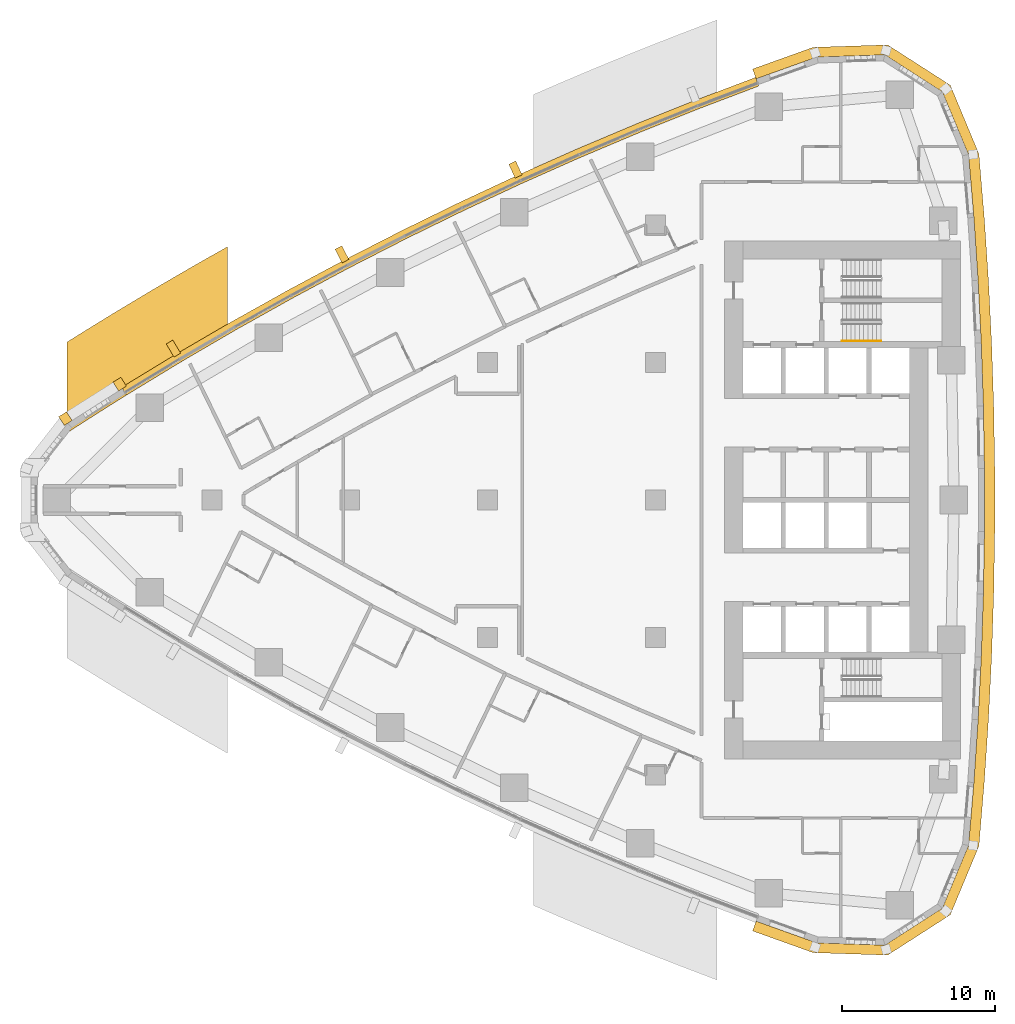
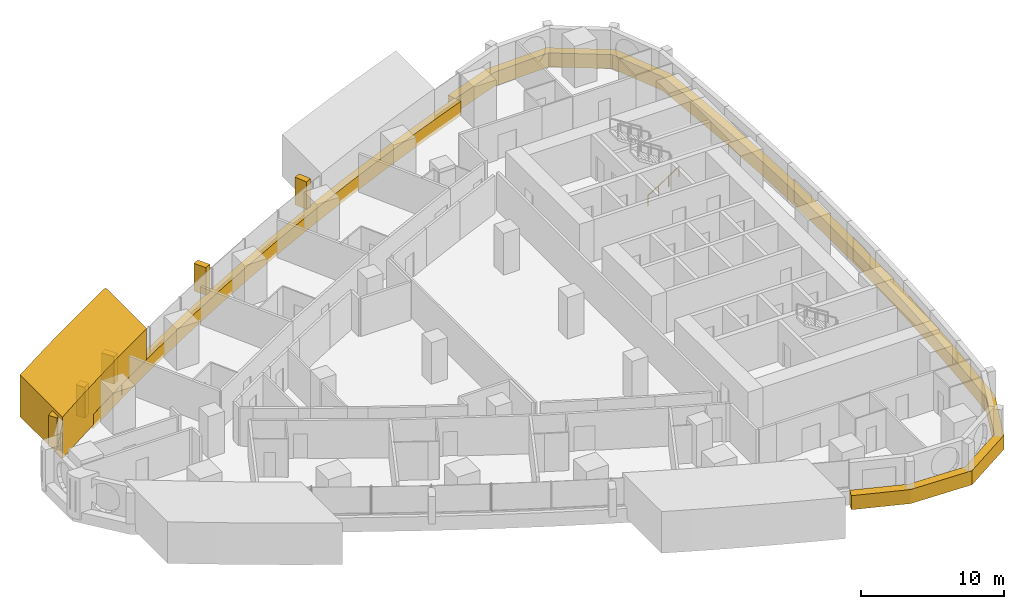
# One storey, part 17 of 19: 8 coverings, 1 railing.
"""IFC4 building model written with IfcOpenShell, lengths in metres."""

from ifc_helpers import new_model, si_unit, direction, frame, frame_2d, origin, origin_2d, place, context, subcontext, project, spatial, polyline, rectangle, circle, outline, extrude, material, layer, layer_set, type_object, element, save


model = new_model("IFC4")

# Units and contexts
model_context = context("Model", 3, precision=1e-05, world=origin(), true_north=direction((0.0, 1.0)))
body_context = subcontext(model_context, "Body", "Model", "MODEL_VIEW")
ifc_project = project(units=[si_unit("LENGTHUNIT", "METRE"), si_unit("AREAUNIT", "SQUARE_METRE"), si_unit("VOLUMEUNIT", "CUBIC_METRE"), si_unit("PLANEANGLEUNIT", "RADIAN"), si_unit("MASSUNIT", "GRAM", prefix="KILO")], contexts=[model_context])

# Site, building, storey
site_placement = place(None, origin())
site = spatial("IfcSite", under=ifc_project, at=site_placement, CompositionType="ELEMENT")
building_placement = place(site_placement, origin())
building = spatial("IfcBuilding", under=site, at=building_placement, Name="Ostrand Prow Hotel Tower", CompositionType="ELEMENT")
storey_placement = place(building_placement, frame((0.0, 0.0, 64.449951171875)))
storey = spatial("IfcBuildingStorey", under=building, at=storey_placement, Name="L14", CompositionType="ELEMENT", Elevation=64.449951171875)

# Coverings
ifc_material_1 = material(Name="Bronze anodised aluminium cladding", Category="aluminium")
ifc_layer_1 = layer(ifc_material_1, 0.60009765625)
ifc_layer_set_1 = layer_set([ifc_layer_1], Name="Bronze anodised aluminium cladding")
covering_type_1 = type_object("IfcCoveringType", Name="Bronze spandrel band 1200x600", PredefinedType="CLADDING", material=ifc_layer_set_1)
covering_1_placement = place(storey_placement, frame((0.0, 0.0, -0.300048828125)))
element("IfcCovering", 1, at=covering_1_placement, inside=storey, type_object=covering_type_1, Name="Spandrel band N1", PredefinedType="CLADDING", context=body_context, shape_type="SweptSolid", body=[
    extrude(outline(polyline([(51.5361328125, 27.6328125), (47.607666015625, 26.142578125), (43.70751953125, 24.580078125), (39.83642578125, 22.946044921875), (35.996337890625, 21.2412109375), (32.188232421875, 19.4658203125), (28.413330078125, 17.62060546875), (24.673095703125, 15.70654296875), (20.968994140625, 13.723876953125), (17.301513671875, 11.673095703125), (13.672607421875, 9.555419921875), (10.08349609375, 7.371337890625), (10.39990234375, 6.86181640625), (13.97998046875, 9.0400390625), (17.59912109375, 11.152099609375), (21.2568359375, 13.197509765625), (24.951416015625, 15.1748046875), (28.681884765625, 17.083984375), (32.44677734375, 18.92431640625), (36.244873046875, 20.695068359375), (40.074951171875, 22.3955078125), (43.935791015625, 24.025146484375), (47.82568359375, 25.58349609375), (51.743896484375, 27.070068359375), (51.5361328125, 27.6328125)])), origin(), (0.0, 0.0, 1.0), 1.2001953125),
])
covering_2_placement = place(storey_placement, frame((0.0, 0.0, -0.300048828125)))
element("IfcCovering", 2, at=covering_2_placement, inside=storey, type_object=covering_type_1, Name="Spandrel band back 1", PredefinedType="CLADDING", context=body_context, shape_type="SweptSolid", body=[
    extrude(outline(polyline([(51.335205078125, -28.177001953125), (55.300537109375, -29.5986328125), (60.16796875, -29.758056640625), (64.26318359375, -27.123046875), (66.13525390625, -22.627197265625), (66.48046875, -18.521728515625), (66.756591796875, -14.411376953125), (66.964111328125, -10.296630859375), (67.102294921875, -6.17919921875), (67.17138671875, -2.059814453125), (67.17138671875, 2.059814453125), (67.102294921875, 6.17919921875), (66.964111328125, 10.296630859375), (66.756591796875, 14.411376953125), (66.48046875, 18.521728515625), (66.13525390625, 22.627197265625), (64.26318359375, 27.123046875), (60.16796875, 29.758056640625), (55.300537109375, 29.5986328125), (51.335205078125, 28.177001953125), (51.57080078125, 27.5390625), (55.524169921875, 28.956298828125), (59.98681640625, 29.1025390625), (63.74169921875, 26.6865234375), (65.4580078125, 22.564453125), (65.802490234375, 18.470458984375), (66.077880859375, 14.371337890625), (66.28466796875, 10.26806640625), (66.422607421875, 6.162109375), (66.491455078125, 2.05419921875), (66.491455078125, -2.05419921875), (66.422607421875, -6.162109375), (66.28466796875, -10.26806640625), (66.077880859375, -14.371337890625), (65.802490234375, -18.470458984375), (65.4580078125, -22.564453125), (63.74169921875, -26.6865234375), (59.98681640625, -29.1025390625), (55.524169921875, -28.956298828125), (51.57080078125, -27.5390625), (51.335205078125, -28.177001953125)])), origin(), (0.0, 0.0, 1.0), 1.2001953125),
])
ifc_material_2 = material(Name="Limestone cladding", Category="masonry")
ifc_layer_2 = layer(ifc_material_2, 5.0)
ifc_layer_set_2 = layer_set([ifc_layer_2], Name="Limestone cladding")
covering_type_2 = type_object("IfcCoveringType", Name="Portal jamb pilaster limestone", PredefinedType="CLADDING", material=ifc_layer_set_2)
covering_3_placement = place(storey_placement, origin())
element("IfcCovering", 3, at=covering_3_placement, inside=storey, type_object=covering_type_2, Name="Portal jamb NA L14", PredefinedType="CLADDING", context=body_context, shape_type="SweptSolid", body=[
    extrude(outline(polyline([(6.5, 4.3837890625), (7.45458984375, 5.00048828125), (8.4091796875, 5.610595703125), (9.363525390625, 6.214111328125), (10.318115234375, 6.810791015625), (11.272705078125, 7.401123046875), (12.227294921875, 7.98486328125), (13.181884765625, 8.562255859375), (14.136474609375, 9.13330078125), (15.0908203125, 9.697998046875), (16.04541015625, 10.25634765625), (17.0, 10.80859375), (17.0, 16.556640625), (16.04541015625, 16.020263671875), (15.0908203125, 15.4775390625), (14.136474609375, 14.92919921875), (13.181884765625, 14.37451171875), (12.227294921875, 13.81396484375), (11.272705078125, 13.247314453125), (10.318115234375, 12.67431640625), (9.363525390625, 12.09521484375), (8.4091796875, 11.509521484375), (7.45458984375, 10.917724609375), (6.5, 10.319580078125), (6.5, 4.3837890625)])), origin(), (0.0, 0.0, 1.0), 3.550048828125),
])
ifc_material_3 = material(Name="Limestone cladding", Category="masonry")
ifc_layer_3 = layer(ifc_material_3, 0.5)
ifc_layer_set_3 = layer_set([ifc_layer_3], Name="Limestone cladding")
covering_type_3 = type_object("IfcCoveringType", Name="Precast stone fin 500x900", PredefinedType="CLADDING", material=ifc_layer_set_3)
for number, where, z_axis, x_axis, name in (
    (4, (36.037841796875, 21.150146484375, 0.900146484375), (0.0, 0.0, 1.0), (-0.414299516417, 0.910140599411, 0.0), "Stone fin N 5"),
    (5, (24.719482421875, 15.617919921875, 0.900146484375), (0.0, 0.0, 1.0), (-0.463642032659, 0.886022610068, 0.0), "Stone fin N 8"),
    (6, (13.723876953125, 9.469482421875, 0.900146484375), (0.0, 0.0, 1.0), (-0.511908673433, 0.859039876877, 0.0), "Stone fin N 11"),
):
    element("IfcCovering", number, at=place(storey_placement, frame(where, z_axis=z_axis, x_axis=x_axis)), inside=storey, type_object=covering_type_3, Name=name, PredefinedType="CLADDING", context=body_context, shape_type="SweptSolid", body=[
        extrude(rectangle(XDim=1.0, YDim=0.5, at=frame_2d((0.5, 0.0))), origin(), (0.0, 0.0, 1.0), 2.349853515625),
    ])
ifc_material_4 = material(Name="Limestone cladding", Category="masonry")
ifc_layer_4 = layer(ifc_material_4, 0.60009765625)
ifc_layer_set_4 = layer_set([ifc_layer_4], Name="Limestone cladding")
covering_type_4 = type_object("IfcCoveringType", Name="Precast stone prow rib 600x600", PredefinedType="CLADDING", material=ifc_layer_set_4)
for number, where, z_axis, x_axis, name in (
    (7, (10.13623046875, 7.286376953125, 0.60009765625), (0.0, 0.0, 1.0), (-0.527738148304, 0.849407114889, 0.0), "Stone prow rib 1"),
    (8, (6.589111328125, 5.03759765625, 0.60009765625), (0.0, 0.0, 1.0), (-0.543295944087, 0.839541253983, 0.0), "Stone prow rib 2"),
):
    element("IfcCovering", number, at=place(storey_placement, frame(where, z_axis=z_axis, x_axis=x_axis)), inside=storey, type_object=covering_type_4, Name=name, PredefinedType="CLADDING", context=body_context, shape_type="SweptSolid", body=[
        extrude(rectangle(XDim=0.679931640625, YDim=0.60009765625, at=frame_2d((0.33984375, 0.0))), origin(), (0.0, 0.0, 1.0), 2.64990234375),
    ])

# Railing
ifc_material_5 = material(Name="Stainless steel", Category="steel")
railing_type = type_object("IfcRailingType", Name="Stair handrail 900", PredefinedType="HANDRAIL", material=ifc_material_5)
railing_placement = place(storey_placement, frame((57.199951171875, 10.39990234375, 0.177490234375)))
element("IfcRailing", 9, at=railing_placement, inside=storey, type_object=railing_type, Name="L14 ST1C stair handrail 1", PredefinedType="HANDRAIL", context=body_context, shape_type="SweptSolid", body=[
    extrude(circle(Radius=0.02392578125, at=origin_2d()), frame((0.0, 0.0, 0.8759765625), z_axis=(0.84456994832, 0.0, 0.535445237532), x_axis=(0.0, 1.0, 0.0)), (0.0, 0.0, 1.0), 2.98388671875),
    extrude(circle(Radius=0.02099609375, at=origin_2d()), origin(), (0.0, 0.0, 1.0), 0.851806640625),
    extrude(circle(Radius=0.02099609375, at=origin_2d()), frame((0.840087890625, 0.0, 0.532470703125)), (0.0, 0.0, 1.0), 0.851806640625),
    extrude(circle(Radius=0.02099609375, at=origin_2d()), frame((1.679931640625, 0.0, 1.065185546875)), (0.0, 0.0, 1.0), 0.851806640625),
    extrude(circle(Radius=0.02099609375, at=origin_2d()), frame((2.52001953125, 0.0, 1.59765625)), (0.0, 0.0, 1.0), 0.851806640625),
])

save(model, "model.ifc")
